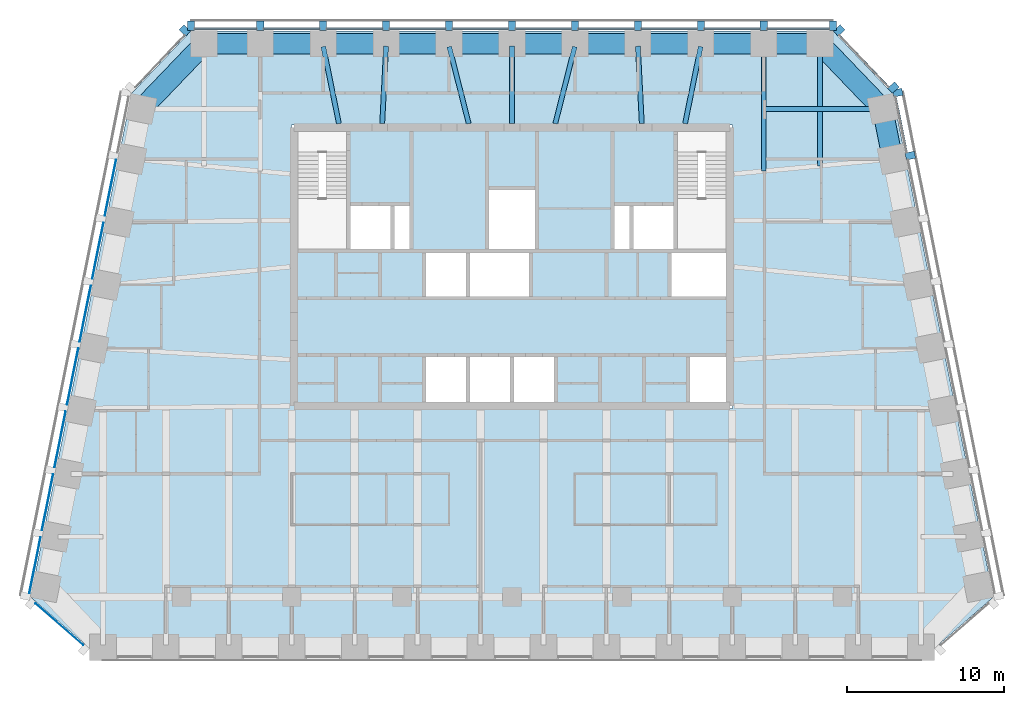
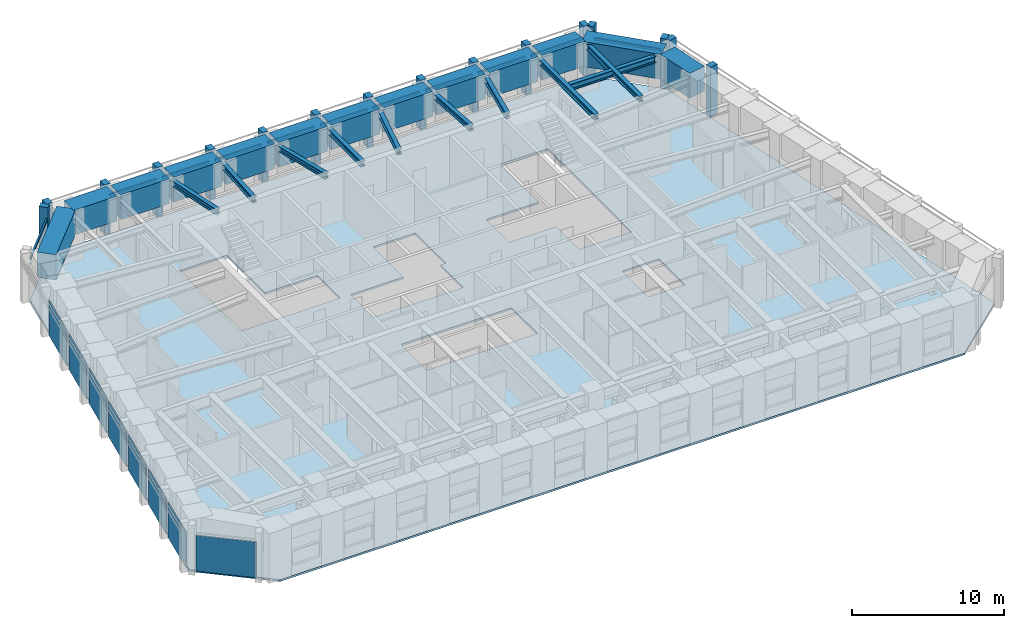
# One storey, part 3 of 13: 29 members, 23 beams, 8 plates, 1 slab, 6 elements without a shape of their own.
"""IFC4 building model written with IfcOpenShell, lengths in metres."""

from ifc_helpers import new_model, si_unit, direction, frame, origin, origin_2d, place, context, subcontext, project, spatial, polyline, rectangle, i_section, outline, extrude, material, layer, layer_set, material_profile, profile_set, type_object, element, aggregate, save


model = new_model("IFC4")

# Units and contexts
model_context = context("Model", 3, precision=1e-05, world=origin(), true_north=direction((0.0, 1.0)))
body_context = subcontext(model_context, "Body", "Model", "MODEL_VIEW")
ifc_project = project(units=[si_unit("LENGTHUNIT", "METRE"), si_unit("AREAUNIT", "SQUARE_METRE"), si_unit("VOLUMEUNIT", "CUBIC_METRE"), si_unit("PLANEANGLEUNIT", "RADIAN"), si_unit("MASSUNIT", "GRAM", prefix="KILO")], contexts=[model_context])

# Site, building, storey
site_placement = place(None, origin())
site = spatial("IfcSite", under=ifc_project, at=site_placement, CompositionType="ELEMENT")
building_placement = place(site_placement, origin())
building = spatial("IfcBuilding", under=site, at=building_placement, Name="Isbrekke Arena Tower", CompositionType="ELEMENT")
storey_placement = place(building_placement, frame((0.0, 0.0, 280.0)))
storey = spatial("IfcBuildingStorey", under=building, at=storey_placement, Name="L65", CompositionType="ELEMENT", Elevation=280.0)

# Beams
ifc_material_1 = material(Name="Steel S355", Category="steel")
ifc_material_profile_1 = material_profile(ifc_material_1, i_section(OverallWidth=0.305908203125, OverallDepth=0.52392578125, WebThickness=0.02099609375, FlangeThickness=0.0400390625, FilletRadius=0.027099609375, at=origin_2d()), Name="HEM 500")
ifc_profile_set_1 = profile_set([ifc_material_profile_1], Name="Steel S355")
beam_type_1 = type_object("IfcBeamType", Name="B5 HEM 500", PredefinedType="BEAM", material=ifc_profile_set_1)
beam_1_placement = place(storey_placement, frame((23.40283203125, 25.029296875, 3.587890625), z_axis=(-1.0, 0.0, 0.0), x_axis=(0.0, -1.0, 0.0)))
element("IfcBeam", 1, at=beam_1_placement, inside=storey, type_object=beam_type_1, Name="B5 beam E-E09 L65", PredefinedType="BEAM", context=body_context, shape_type="SweptSolid", body=[
    extrude(i_section(OverallWidth=0.305908203125, OverallDepth=0.52392578125, WebThickness=0.02099609375, FlangeThickness=0.0400390625, FilletRadius=0.027099609375, at=origin_2d()), origin(), (0.0, 0.0, 1.0), 7.40283203125),
])
ifc_material_2 = material(Name="Steel S355", Category="steel")
ifc_material_profile_2 = material_profile(ifc_material_2, i_section(OverallWidth=0.306884765625, OverallDepth=0.431884765625, WebThickness=0.02099609375, FlangeThickness=0.0400390625, FilletRadius=0.027099609375, at=origin_2d()), Name="HEM 400")
ifc_profile_set_2 = profile_set([ifc_material_profile_2], Name="Steel S355")
beam_type_2 = type_object("IfcBeamType", Name="B6 HEM 400", PredefinedType="BEAM", material=ifc_profile_set_2)
beam_2_placement = place(storey_placement, frame((19.574951171875, 29.02490234375, 3.634033203125), z_axis=(0.0, -1.0, 0.0), x_axis=(1.0, 0.0, 0.0)))
element("IfcBeam", 2, at=beam_2_placement, inside=storey, type_object=beam_type_2, Name="B6 beam N-N01 L65", PredefinedType="BEAM", context=body_context, shape_type="SweptSolid", body=[
    extrude(i_section(OverallWidth=0.306884765625, OverallDepth=0.431884765625, WebThickness=0.02099609375, FlangeThickness=0.0400390625, FilletRadius=0.027099609375, at=origin_2d()), origin(), (0.0, 0.0, 1.0), 7.608154296875),
])
beam_3_placement = place(storey_placement, frame((16.0, 29.02490234375, 3.634033203125), z_axis=(0.0, -1.0, 0.0), x_axis=(1.0, 0.0, 0.0)))
element("IfcBeam", 3, at=beam_3_placement, inside=storey, type_object=beam_type_2, Name="B6 beam N-N02 L65", PredefinedType="BEAM", context=body_context, shape_type="SweptSolid", body=[
    extrude(i_section(OverallWidth=0.306884765625, OverallDepth=0.431884765625, WebThickness=0.02099609375, FlangeThickness=0.0400390625, FilletRadius=0.027099609375, at=origin_2d()), origin(), (0.0, 0.0, 1.0), 7.945556640625),
])
beam_4_placement = place(storey_placement, frame((11.993896484375, 28.9951171875, 3.634033203125), z_axis=(-0.198982177337, -0.980003108721, 0.0), x_axis=(0.980003108721, -0.198982177337, 0.0)))
element("IfcBeam", 4, at=beam_4_placement, inside=storey, type_object=beam_type_2, Name="B6 beam N-N03 L65", PredefinedType="BEAM", context=body_context, shape_type="SweptSolid", body=[
    extrude(i_section(OverallWidth=0.306884765625, OverallDepth=0.431884765625, WebThickness=0.02099609375, FlangeThickness=0.0400390625, FilletRadius=0.027099609375, at=origin_2d()), origin(), (0.0, 0.0, 1.0), 4.994873046875),
])
beam_5_placement = place(storey_placement, frame((8.00048828125, 29.017333984375, 3.634033203125), z_axis=(0.050677067868, -0.998715091902, 0.0), x_axis=(0.998715091902, 0.050677067868, 0.0)))
element("IfcBeam", 5, at=beam_5_placement, inside=storey, type_object=beam_type_2, Name="B6 beam N-N04 L65", PredefinedType="BEAM", context=body_context, shape_type="SweptSolid", body=[
    extrude(i_section(OverallWidth=0.306884765625, OverallDepth=0.431884765625, WebThickness=0.02099609375, FlangeThickness=0.0400390625, FilletRadius=0.027099609375, at=origin_2d()), origin(), (0.0, 0.0, 1.0), 4.923583984375),
])
beam_6_placement = place(storey_placement, frame((3.99072265625, 28.98828125, 3.634033203125), z_axis=(-0.246019579109, -0.969264858898, 0.0), x_axis=(0.969264858898, -0.246019579109, 0.0)))
element("IfcBeam", 6, at=beam_6_placement, inside=storey, type_object=beam_type_2, Name="B6 beam N-N05 L65", PredefinedType="BEAM", context=body_context, shape_type="SweptSolid", body=[
    extrude(i_section(OverallWidth=0.306884765625, OverallDepth=0.431884765625, WebThickness=0.02099609375, FlangeThickness=0.0400390625, FilletRadius=0.027099609375, at=origin_2d()), origin(), (0.0, 0.0, 1.0), 5.043212890625),
])
beam_7_placement = place(storey_placement, frame((0.0, 29.02490234375, 3.634033203125), z_axis=(0.0, -1.0, 0.0), x_axis=(1.0, 0.0, 0.0)))
element("IfcBeam", 7, at=beam_7_placement, inside=storey, type_object=beam_type_2, Name="B6 beam N-N06 L65", PredefinedType="BEAM", context=body_context, shape_type="SweptSolid", body=[
    extrude(i_section(OverallWidth=0.306884765625, OverallDepth=0.431884765625, WebThickness=0.02099609375, FlangeThickness=0.0400390625, FilletRadius=0.027099609375, at=origin_2d()), origin(), (0.0, 0.0, 1.0), 4.9248046875),
])
beam_8_placement = place(storey_placement, frame((-3.99072265625, 28.98828125, 3.634033203125), z_axis=(0.246019579109, -0.969264858898, 0.0), x_axis=(0.969264858898, 0.246019579109, 0.0)))
element("IfcBeam", 8, at=beam_8_placement, inside=storey, type_object=beam_type_2, Name="B6 beam N-N07 L65", PredefinedType="BEAM", context=body_context, shape_type="SweptSolid", body=[
    extrude(i_section(OverallWidth=0.306884765625, OverallDepth=0.431884765625, WebThickness=0.02099609375, FlangeThickness=0.0400390625, FilletRadius=0.027099609375, at=origin_2d()), origin(), (0.0, 0.0, 1.0), 5.043212890625),
])
beam_9_placement = place(storey_placement, frame((-8.00048828125, 29.017333984375, 3.634033203125), z_axis=(-0.050677067868, -0.998715091902, 0.0), x_axis=(0.998715091902, -0.050677067868, 0.0)))
element("IfcBeam", 9, at=beam_9_placement, inside=storey, type_object=beam_type_2, Name="B6 beam N-N08 L65", PredefinedType="BEAM", context=body_context, shape_type="SweptSolid", body=[
    extrude(i_section(OverallWidth=0.306884765625, OverallDepth=0.431884765625, WebThickness=0.02099609375, FlangeThickness=0.0400390625, FilletRadius=0.027099609375, at=origin_2d()), origin(), (0.0, 0.0, 1.0), 4.923583984375),
])
beam_10_placement = place(storey_placement, frame((-11.993896484375, 28.9951171875, 3.634033203125), z_axis=(0.198982177337, -0.980003108721, 0.0), x_axis=(0.980003108721, 0.198982177337, 0.0)))
element("IfcBeam", 10, at=beam_10_placement, inside=storey, type_object=beam_type_2, Name="B6 beam N-N09 L65", PredefinedType="BEAM", context=body_context, shape_type="SweptSolid", body=[
    extrude(i_section(OverallWidth=0.306884765625, OverallDepth=0.431884765625, WebThickness=0.02099609375, FlangeThickness=0.0400390625, FilletRadius=0.027099609375, at=origin_2d()), origin(), (0.0, 0.0, 1.0), 4.994873046875),
])

# Curtain wall, members
ifc_material_3 = material(Name="Glazed aluminium curtain wall", Category="aluminium")
curtain_wall_type = type_object("IfcCurtainWallType", Name="CWT TOWER CURTAIN WALL TOP ZONE", PredefinedType="USERDEFINED", material=ifc_material_3)
curtain_wall_1_placement = place(storey_placement, origin())
curtain_wall_1 = element("IfcCurtainWall", 11, at=curtain_wall_1_placement, inside=storey, type_object=curtain_wall_type, Name="CWT curtain wall L65-E", ObjectType="TOWER CURTAIN WALL TOP ZONE", PredefinedType="USERDEFINED")
ifc_material_4 = material(Name="Copper-clad aluminium mullion", Category="aluminium")
ifc_material_profile_3 = material_profile(ifc_material_4, rectangle(XDim=0.449951171875, YDim=0.60009765625, at=origin_2d()), Name="PIER 450X600")
ifc_profile_set_3 = profile_set([ifc_material_profile_3], Name="Copper-clad aluminium mullion")
member_type_1 = type_object("IfcMemberType", Name="CWT-M PIER MULLION 450 x 600", PredefinedType="MULLION", material=ifc_profile_set_3)
member_1_placement = place(storey_placement, frame((25.318603515625, 22.063720703125, 0.0), z_axis=(0.0, 0.0, 1.0), x_axis=(-0.196116135138, 0.980580675691, 0.0)))
member_1 = element("IfcMember", 12, at=member_1_placement, type_object=member_type_1, Name="CWT-M mullion 8", PredefinedType="MULLION", context=body_context, shape_type="SweptSolid", body=[
    extrude(rectangle(XDim=0.449951171875, YDim=0.60009765625, at=origin_2d()), origin(), (0.0, 0.0, 1.0), 4.0),
])
member_2_placement = place(storey_placement, frame((24.518798828125, 26.063720703125, 0.0), z_axis=(0.0, 0.0, 1.0), x_axis=(-0.196116135138, 0.980580675691, 0.0)))
member_2 = element("IfcMember", 13, at=member_2_placement, type_object=member_type_1, Name="CWT-M mullion 9", PredefinedType="MULLION", context=body_context, shape_type="SweptSolid", body=[
    extrude(rectangle(XDim=0.449951171875, YDim=0.60009765625, at=origin_2d()), origin(), (0.0, 0.0, 1.0), 4.0),
])

curtain_wall_2_placement = place(storey_placement, origin())
curtain_wall_2 = element("IfcCurtainWall", 14, at=curtain_wall_2_placement, inside=storey, type_object=curtain_wall_type, Name="CWT curtain wall L65-EN", ObjectType="TOWER CURTAIN WALL TOP ZONE", PredefinedType="USERDEFINED")
member_3_placement = place(storey_placement, frame((24.244384765625, 26.388671875, 0.0), z_axis=(0.0, 0.0, 1.0), x_axis=(-0.68874946192, 0.72499943359, 0.0)))
member_3 = element("IfcMember", 15, at=member_3_placement, type_object=member_type_1, Name="CWT-M mullion 1", PredefinedType="MULLION", context=body_context, shape_type="SweptSolid", body=[
    extrude(rectangle(XDim=0.449951171875, YDim=0.60009765625, at=origin_2d()), origin(), (0.0, 0.0, 1.0), 4.0),
])
member_4_placement = place(storey_placement, frame((20.795166015625, 30.019775390625, 0.0), z_axis=(0.0, 0.0, 1.0), x_axis=(-0.68874946192, 0.72499943359, 0.0)))
member_4 = element("IfcMember", 16, at=member_4_placement, type_object=member_type_1, Name="CWT-M mullion 2", PredefinedType="MULLION", context=body_context, shape_type="SweptSolid", body=[
    extrude(rectangle(XDim=0.449951171875, YDim=0.60009765625, at=origin_2d()), origin(), (0.0, 0.0, 1.0), 4.0),
])

curtain_wall_3_placement = place(storey_placement, origin())
curtain_wall_3 = element("IfcCurtainWall", 17, at=curtain_wall_3_placement, inside=storey, type_object=curtain_wall_type, Name="CWT curtain wall L65-N", ObjectType="TOWER CURTAIN WALL TOP ZONE", PredefinedType="USERDEFINED")
member_5_placement = place(storey_placement, frame((20.39990234375, 30.324951171875, 0.0), z_axis=(0.0, 0.0, 1.0), x_axis=(-1.0, 0.0, 0.0)))
member_5 = element("IfcMember", 18, at=member_5_placement, type_object=member_type_1, Name="CWT-M mullion 1", PredefinedType="MULLION", context=body_context, shape_type="SweptSolid", body=[
    extrude(rectangle(XDim=0.449951171875, YDim=0.60009765625, at=origin_2d()), origin(), (0.0, 0.0, 1.0), 4.0),
])
member_6_placement = place(storey_placement, frame((16.0, 30.324951171875, 0.0), z_axis=(0.0, 0.0, 1.0), x_axis=(-1.0, 0.0, 0.0)))
member_6 = element("IfcMember", 19, at=member_6_placement, type_object=member_type_1, Name="CWT-M mullion 2", PredefinedType="MULLION", context=body_context, shape_type="SweptSolid", body=[
    extrude(rectangle(XDim=0.449951171875, YDim=0.60009765625, at=origin_2d()), origin(), (0.0, 0.0, 1.0), 4.0),
])
member_7_placement = place(storey_placement, frame((12.0, 30.324951171875, 0.0), z_axis=(0.0, 0.0, 1.0), x_axis=(-1.0, 0.0, 0.0)))
member_7 = element("IfcMember", 20, at=member_7_placement, type_object=member_type_1, Name="CWT-M mullion 3", PredefinedType="MULLION", context=body_context, shape_type="SweptSolid", body=[
    extrude(rectangle(XDim=0.449951171875, YDim=0.60009765625, at=origin_2d()), origin(), (0.0, 0.0, 1.0), 4.0),
])
member_8_placement = place(storey_placement, frame((8.0, 30.324951171875, 0.0), z_axis=(0.0, 0.0, 1.0), x_axis=(-1.0, 0.0, 0.0)))
member_8 = element("IfcMember", 21, at=member_8_placement, type_object=member_type_1, Name="CWT-M mullion 4", PredefinedType="MULLION", context=body_context, shape_type="SweptSolid", body=[
    extrude(rectangle(XDim=0.449951171875, YDim=0.60009765625, at=origin_2d()), origin(), (0.0, 0.0, 1.0), 4.0),
])
member_9_placement = place(storey_placement, frame((4.0, 30.324951171875, 0.0), z_axis=(0.0, 0.0, 1.0), x_axis=(-1.0, 0.0, 0.0)))
member_9 = element("IfcMember", 22, at=member_9_placement, type_object=member_type_1, Name="CWT-M mullion 5", PredefinedType="MULLION", context=body_context, shape_type="SweptSolid", body=[
    extrude(rectangle(XDim=0.449951171875, YDim=0.60009765625, at=origin_2d()), origin(), (0.0, 0.0, 1.0), 4.0),
])
member_10_placement = place(storey_placement, frame((0.0, 30.324951171875, 0.0), z_axis=(0.0, 0.0, 1.0), x_axis=(-1.0, 0.0, 0.0)))
member_10 = element("IfcMember", 23, at=member_10_placement, type_object=member_type_1, Name="CWT-M mullion 6", PredefinedType="MULLION", context=body_context, shape_type="SweptSolid", body=[
    extrude(rectangle(XDim=0.449951171875, YDim=0.60009765625, at=origin_2d()), origin(), (0.0, 0.0, 1.0), 4.0),
])
member_11_placement = place(storey_placement, frame((-4.0, 30.324951171875, 0.0), z_axis=(0.0, 0.0, 1.0), x_axis=(-1.0, 0.0, 0.0)))
member_11 = element("IfcMember", 24, at=member_11_placement, type_object=member_type_1, Name="CWT-M mullion 7", PredefinedType="MULLION", context=body_context, shape_type="SweptSolid", body=[
    extrude(rectangle(XDim=0.449951171875, YDim=0.60009765625, at=origin_2d()), origin(), (0.0, 0.0, 1.0), 4.0),
])
member_12_placement = place(storey_placement, frame((-8.0, 30.324951171875, 0.0), z_axis=(0.0, 0.0, 1.0), x_axis=(-1.0, 0.0, 0.0)))
member_12 = element("IfcMember", 25, at=member_12_placement, type_object=member_type_1, Name="CWT-M mullion 8", PredefinedType="MULLION", context=body_context, shape_type="SweptSolid", body=[
    extrude(rectangle(XDim=0.449951171875, YDim=0.60009765625, at=origin_2d()), origin(), (0.0, 0.0, 1.0), 4.0),
])
member_13_placement = place(storey_placement, frame((-12.0, 30.324951171875, 0.0), z_axis=(0.0, 0.0, 1.0), x_axis=(-1.0, 0.0, 0.0)))
member_13 = element("IfcMember", 26, at=member_13_placement, type_object=member_type_1, Name="CWT-M mullion 9", PredefinedType="MULLION", context=body_context, shape_type="SweptSolid", body=[
    extrude(rectangle(XDim=0.449951171875, YDim=0.60009765625, at=origin_2d()), origin(), (0.0, 0.0, 1.0), 4.0),
])
member_14_placement = place(storey_placement, frame((-16.0, 30.324951171875, 0.0), z_axis=(0.0, 0.0, 1.0), x_axis=(-1.0, 0.0, 0.0)))
member_14 = element("IfcMember", 27, at=member_14_placement, type_object=member_type_1, Name="CWT-M mullion 10", PredefinedType="MULLION", context=body_context, shape_type="SweptSolid", body=[
    extrude(rectangle(XDim=0.449951171875, YDim=0.60009765625, at=origin_2d()), origin(), (0.0, 0.0, 1.0), 4.0),
])
member_15_placement = place(storey_placement, frame((-20.39990234375, 30.324951171875, 0.0), z_axis=(0.0, 0.0, 1.0), x_axis=(-1.0, 0.0, 0.0)))
member_15 = element("IfcMember", 28, at=member_15_placement, type_object=member_type_1, Name="CWT-M mullion 11", PredefinedType="MULLION", context=body_context, shape_type="SweptSolid", body=[
    extrude(rectangle(XDim=0.449951171875, YDim=0.60009765625, at=origin_2d()), origin(), (0.0, 0.0, 1.0), 4.0),
])

# Curtain wall, member
curtain_wall_4_placement = place(storey_placement, origin())
curtain_wall_4 = element("IfcCurtainWall", 29, at=curtain_wall_4_placement, inside=storey, type_object=curtain_wall_type, Name="CWT curtain wall L65-NW", ObjectType="TOWER CURTAIN WALL TOP ZONE", PredefinedType="USERDEFINED")
member_16_placement = place(storey_placement, frame((-20.795166015625, 30.01953125, 0.0), z_axis=(0.0, 0.0, 1.0), x_axis=(-0.68874946192, -0.72499943359, 0.0)))
member_16 = element("IfcMember", 30, at=member_16_placement, type_object=member_type_1, Name="CWT-M mullion 1", PredefinedType="MULLION", context=body_context, shape_type="SweptSolid", body=[
    extrude(rectangle(XDim=0.449951171875, YDim=0.60009765625, at=origin_2d()), origin(), (0.0, 0.0, 1.0), 4.0),
])

# Member
ifc_material_5 = material(Name="Aluminium transom", Category="aluminium")
ifc_material_profile_4 = material_profile(ifc_material_5, rectangle(XDim=0.1201171875, YDim=0.199951171875, at=origin_2d()), Name="TRANSOM 120X200")
ifc_profile_set_4 = profile_set([ifc_material_profile_4], Name="Aluminium transom")
member_type_2 = type_object("IfcMemberType", Name="CWT-T TRANSOM 120 x 200", PredefinedType="USERDEFINED", material=ifc_profile_set_4)
member_17_placement = place(storey_placement, frame((25.078369140625, 22.2451171875, 3.0), z_axis=(-0.196090262229, 0.980585849918, 0.0), x_axis=(-0.980585849918, -0.196090262229, 0.0)))
member_17 = element("IfcMember", 31, at=member_17_placement, type_object=member_type_2, Name="CWT-T transom 8", ObjectType="TRANSOM", PredefinedType="USERDEFINED", context=body_context, shape_type="SweptSolid", body=[
    extrude(rectangle(XDim=0.1201171875, YDim=0.199951171875, at=origin_2d()), origin(), (0.0, 0.0, 1.0), 3.62939453125),
])

aggregate(curtain_wall_1, [member_1, member_2, member_17])

member_18_placement = place(storey_placement, frame((23.944580078125, 26.4140625, 3.0), z_axis=(-0.688771983213, 0.724978037696, 0.0), x_axis=(-0.724978037696, -0.688771983213, 0.0)))
member_18 = element("IfcMember", 32, at=member_18_placement, type_object=member_type_2, Name="CWT-T transom 1", ObjectType="TRANSOM", PredefinedType="USERDEFINED", context=body_context, shape_type="SweptSolid", body=[
    extrude(rectangle(XDim=0.1201171875, YDim=0.199951171875, at=origin_2d()), origin(), (0.0, 0.0, 1.0), 4.558349609375),
])

aggregate(curtain_wall_2, [member_3, member_4, member_18])

member_19_placement = place(storey_placement, frame((20.175048828125, 30.125, 3.0), z_axis=(-1.0, 0.0, 0.0), x_axis=(0.0, -1.0, 0.0)))
member_19 = element("IfcMember", 33, at=member_19_placement, type_object=member_type_2, Name="CWT-T transom 1", ObjectType="TRANSOM", PredefinedType="USERDEFINED", context=body_context, shape_type="SweptSolid", body=[
    extrude(rectangle(XDim=0.1201171875, YDim=0.199951171875, at=origin_2d()), origin(), (0.0, 0.0, 1.0), 3.949951171875),
])

member_20_placement = place(storey_placement, frame((15.77490234375, 30.125, 3.0), z_axis=(-1.0, 0.0, 0.0), x_axis=(0.0, -1.0, 0.0)))
member_20 = element("IfcMember", 34, at=member_20_placement, type_object=member_type_2, Name="CWT-T transom 2", ObjectType="TRANSOM", PredefinedType="USERDEFINED", context=body_context, shape_type="SweptSolid", body=[
    extrude(rectangle(XDim=0.1201171875, YDim=0.199951171875, at=origin_2d()), origin(), (0.0, 0.0, 1.0), 3.5498046875),
])

member_21_placement = place(storey_placement, frame((11.77490234375, 30.125, 3.0), z_axis=(-1.0, 0.0, 0.0), x_axis=(0.0, -1.0, 0.0)))
member_21 = element("IfcMember", 35, at=member_21_placement, type_object=member_type_2, Name="CWT-T transom 3", ObjectType="TRANSOM", PredefinedType="USERDEFINED", context=body_context, shape_type="SweptSolid", body=[
    extrude(rectangle(XDim=0.1201171875, YDim=0.199951171875, at=origin_2d()), origin(), (0.0, 0.0, 1.0), 3.5498046875),
])

member_22_placement = place(storey_placement, frame((7.77490234375, 30.125, 3.0), z_axis=(-1.0, 0.0, 0.0), x_axis=(0.0, -1.0, 0.0)))
member_22 = element("IfcMember", 36, at=member_22_placement, type_object=member_type_2, Name="CWT-T transom 4", ObjectType="TRANSOM", PredefinedType="USERDEFINED", context=body_context, shape_type="SweptSolid", body=[
    extrude(rectangle(XDim=0.1201171875, YDim=0.199951171875, at=origin_2d()), origin(), (0.0, 0.0, 1.0), 3.5498046875),
])

member_23_placement = place(storey_placement, frame((3.77490234375, 30.125, 3.0), z_axis=(-1.0, 0.0, 0.0), x_axis=(0.0, -1.0, 0.0)))
member_23 = element("IfcMember", 37, at=member_23_placement, type_object=member_type_2, Name="CWT-T transom 5", ObjectType="TRANSOM", PredefinedType="USERDEFINED", context=body_context, shape_type="SweptSolid", body=[
    extrude(rectangle(XDim=0.1201171875, YDim=0.199951171875, at=origin_2d()), origin(), (0.0, 0.0, 1.0), 3.5498046875),
])

member_24_placement = place(storey_placement, frame((-0.22509765625, 30.125, 3.0), z_axis=(-1.0, 0.0, 0.0), x_axis=(0.0, -1.0, 0.0)))
member_24 = element("IfcMember", 38, at=member_24_placement, type_object=member_type_2, Name="CWT-T transom 6", ObjectType="TRANSOM", PredefinedType="USERDEFINED", context=body_context, shape_type="SweptSolid", body=[
    extrude(rectangle(XDim=0.1201171875, YDim=0.199951171875, at=origin_2d()), origin(), (0.0, 0.0, 1.0), 3.5498046875),
])

member_25_placement = place(storey_placement, frame((-4.22509765625, 30.125, 3.0), z_axis=(-1.0, 0.0, 0.0), x_axis=(0.0, -1.0, 0.0)))
member_25 = element("IfcMember", 39, at=member_25_placement, type_object=member_type_2, Name="CWT-T transom 7", ObjectType="TRANSOM", PredefinedType="USERDEFINED", context=body_context, shape_type="SweptSolid", body=[
    extrude(rectangle(XDim=0.1201171875, YDim=0.199951171875, at=origin_2d()), origin(), (0.0, 0.0, 1.0), 3.5498046875),
])

member_26_placement = place(storey_placement, frame((-8.22509765625, 30.125, 3.0), z_axis=(-1.0, 0.0, 0.0), x_axis=(0.0, -1.0, 0.0)))
member_26 = element("IfcMember", 40, at=member_26_placement, type_object=member_type_2, Name="CWT-T transom 8", ObjectType="TRANSOM", PredefinedType="USERDEFINED", context=body_context, shape_type="SweptSolid", body=[
    extrude(rectangle(XDim=0.1201171875, YDim=0.199951171875, at=origin_2d()), origin(), (0.0, 0.0, 1.0), 3.5498046875),
])

member_27_placement = place(storey_placement, frame((-12.22509765625, 30.125, 3.0), z_axis=(-1.0, 0.0, 0.0), x_axis=(0.0, -1.0, 0.0)))
member_27 = element("IfcMember", 41, at=member_27_placement, type_object=member_type_2, Name="CWT-T transom 9", ObjectType="TRANSOM", PredefinedType="USERDEFINED", context=body_context, shape_type="SweptSolid", body=[
    extrude(rectangle(XDim=0.1201171875, YDim=0.199951171875, at=origin_2d()), origin(), (0.0, 0.0, 1.0), 3.5498046875),
])

member_28_placement = place(storey_placement, frame((-16.22509765625, 30.125, 3.0), z_axis=(-1.0, 0.0, 0.0), x_axis=(0.0, -1.0, 0.0)))
member_28 = element("IfcMember", 42, at=member_28_placement, type_object=member_type_2, Name="CWT-T transom 10", ObjectType="TRANSOM", PredefinedType="USERDEFINED", context=body_context, shape_type="SweptSolid", body=[
    extrude(rectangle(XDim=0.1201171875, YDim=0.199951171875, at=origin_2d()), origin(), (0.0, 0.0, 1.0), 3.949951171875),
])

aggregate(curtain_wall_3, [member_5, member_6, member_7, member_8, member_9, member_10, member_11, member_12, member_13, member_14, member_15, member_19, member_20, member_21, member_22, member_23, member_24, member_25, member_26, member_27, member_28])

member_29_placement = place(storey_placement, frame((-20.80517578125, 29.71875, 3.0), z_axis=(-0.688739606035, -0.725008796552, 0.0), x_axis=(0.725008796552, -0.688739606035, 0.0)))
member_29 = element("IfcMember", 43, at=member_29_placement, type_object=member_type_2, Name="CWT-T transom 1", ObjectType="TRANSOM", PredefinedType="USERDEFINED", context=body_context, shape_type="SweptSolid", body=[
    extrude(rectangle(XDim=0.1201171875, YDim=0.199951171875, at=origin_2d()), origin(), (0.0, 0.0, 1.0), 4.55712890625),
])

aggregate(curtain_wall_4, [member_16, member_29])

# Beams
ifc_material_6 = material(Name="Concrete B55 (C55/67)", Category="concrete")
ifc_material_profile_5 = material_profile(ifc_material_6, rectangle(XDim=1.300048828125, YDim=2.0, at=origin_2d()), Name="RC 1300x2000")
ifc_profile_set_5 = profile_set([ifc_material_profile_5], Name="Concrete B55 (C55/67)")
beam_type_3 = type_object("IfcBeamType", Name="SB4 RC 1300 x 2000", PredefinedType="SPANDREL", material=ifc_profile_set_5)
beam_11_placement = place(storey_placement, frame((24.16162109375, 21.9853515625, 3.0), z_axis=(-0.196116135138, 0.980580675691, 0.0), x_axis=(-0.980580675691, -0.196116135138, 0.0)))
element("IfcBeam", 44, at=beam_11_placement, inside=storey, type_object=beam_type_3, Name="SB4 spandrel E08-E09 L65", PredefinedType="SPANDREL", context=body_context, shape_type="SweptSolid", body=[
    extrude(rectangle(XDim=1.300048828125, YDim=2.0, at=origin_2d()), origin(), (0.0, 0.0, 1.0), 2.9541015625),
])
beam_12_placement = place(storey_placement, frame((23.448974609375, 25.137451171875, 3.0), z_axis=(-0.692339547635, 0.721571861134, 0.0), x_axis=(-0.721571861134, -0.692339547635, 0.0)))
element("IfcBeam", 45, at=beam_12_placement, inside=storey, type_object=beam_type_3, Name="SB4 spandrel E09-N01 L65", PredefinedType="SPANDREL", context=body_context, shape_type="SweptSolid", body=[
    extrude(rectangle(XDim=1.300048828125, YDim=2.0, at=origin_2d()), origin(), (0.0, 0.0, 1.0), 5.4453125),
])
beam_13_placement = place(storey_placement, frame((19.425048828125, 29.175048828125, 3.0), z_axis=(-1.0, 0.0, 0.0), x_axis=(0.0, -1.0, 0.0)))
element("IfcBeam", 46, at=beam_13_placement, inside=storey, type_object=beam_type_3, Name="SB4 spandrel N01-N02 L65", PredefinedType="SPANDREL", context=body_context, shape_type="SweptSolid", body=[
    extrude(rectangle(XDim=1.300048828125, YDim=2.0, at=origin_2d()), origin(), (0.0, 0.0, 1.0), 3.275146484375),
])
for number, where, z_axis, x_axis, name in (
    (47, (15.85009765625, 29.175048828125, 3.0), (-1.0, 0.0, 0.0), (0.0, -1.0, 0.0), "SB4 spandrel N02-N03 L65"),
    (48, (11.85009765625, 29.175048828125, 3.0), (-1.0, 0.0, 0.0), (0.0, -1.0, 0.0), "SB4 spandrel N03-N04 L65"),
    (49, (7.85009765625, 29.175048828125, 3.0), (-1.0, 0.0, 0.0), (0.0, -1.0, 0.0), "SB4 spandrel N04-N05 L65"),
    (50, (3.85009765625, 29.175048828125, 3.0), (-1.0, 0.0, 0.0), (0.0, -1.0, 0.0), "SB4 spandrel N05-N06 L65"),
    (51, (-0.14990234375, 29.175048828125, 3.0), (-1.0, 0.0, 0.0), (0.0, -1.0, 0.0), "SB4 spandrel N06-N07 L65"),
    (52, (-4.14990234375, 29.175048828125, 3.0), (-1.0, 0.0, 0.0), (0.0, -1.0, 0.0), "SB4 spandrel N07-N08 L65"),
    (53, (-8.14990234375, 29.175048828125, 3.0), (-1.0, 0.0, 0.0), (0.0, -1.0, 0.0), "SB4 spandrel N08-N09 L65"),
    (54, (-12.14990234375, 29.175048828125, 3.0), (-1.0, 0.0, 0.0), (0.0, -1.0, 0.0), "SB4 spandrel N09-N10 L65"),
):
    element("IfcBeam", number, at=place(storey_placement, frame(where, z_axis=z_axis, x_axis=x_axis)), inside=storey, type_object=beam_type_3, Name=name, PredefinedType="SPANDREL", context=body_context, shape_type="SweptSolid", body=[
        extrude(rectangle(XDim=1.300048828125, YDim=2.0, at=origin_2d()), origin(), (0.0, 0.0, 1.0), 3.7001953125),
    ])
beam_14_placement = place(storey_placement, frame((-16.14990234375, 29.175048828125, 3.0), z_axis=(-1.0, 0.0, 0.0), x_axis=(0.0, -1.0, 0.0)))
element("IfcBeam", 55, at=beam_14_placement, inside=storey, type_object=beam_type_3, Name="SB4 spandrel N10-N11 L65", PredefinedType="SPANDREL", context=body_context, shape_type="SweptSolid", body=[
    extrude(rectangle(XDim=1.300048828125, YDim=2.0, at=origin_2d()), origin(), (0.0, 0.0, 1.0), 3.275146484375),
])
beam_15_placement = place(storey_placement, frame((-19.678955078125, 29.066650390625, 3.0), z_axis=(-0.692339547635, -0.721571861134, 0.0), x_axis=(0.721571861134, -0.692339547635, 0.0)))
element("IfcBeam", 56, at=beam_15_placement, inside=storey, type_object=beam_type_3, Name="SB4 spandrel N11-W01 L65", PredefinedType="SPANDREL", context=body_context, shape_type="SweptSolid", body=[
    extrude(rectangle(XDim=1.300048828125, YDim=2.0, at=origin_2d()), origin(), (0.0, 0.0, 1.0), 5.4453125),
])

# Curtain wall, plates
curtain_wall_5_placement = place(storey_placement, origin())
curtain_wall_5 = element("IfcCurtainWall", 57, at=curtain_wall_5_placement, inside=storey, type_object=curtain_wall_type, Name="CWT curtain wall L65-W", ObjectType="TOWER CURTAIN WALL TOP ZONE", PredefinedType="USERDEFINED")
ifc_material_7 = material(Name="Triple-glazed clear glass unit", Category="glass")
ifc_layer_1 = layer(ifc_material_7, 0.031982421875)
ifc_layer_set_1 = layer_set([ifc_layer_1], Name="CWT-P VISION PANEL")
plate_type = type_object("IfcPlateType", Name="CWT-P VISION PANEL", PredefinedType="CURTAIN_PANEL", material=ifc_layer_set_1)
plate_1_placement = place(storey_placement, frame((-25.5224609375, 20.0244140625, 0.02001953125), z_axis=(0.0, 0.0, 1.0), x_axis=(-0.196116135138, -0.980580675691, 0.0)))
plate_1 = element("IfcPlate", 58, at=plate_1_placement, type_object=plate_type, Name="CWT-P panel 2", PredefinedType="CURTAIN_PANEL", context=body_context, shape_type="SweptSolid", body=[
    extrude(rectangle(XDim=3.629150390625, YDim=0.031982421875, at=origin_2d()), origin(), (0.0, 0.0, 1.0), 2.8798828125),
])
plate_2_placement = place(storey_placement, frame((-26.322509765625, 16.0244140625, 0.02001953125), z_axis=(0.0, 0.0, 1.0), x_axis=(-0.196116135138, -0.980580675691, 0.0)))
plate_2 = element("IfcPlate", 59, at=plate_2_placement, type_object=plate_type, Name="CWT-P panel 3", PredefinedType="CURTAIN_PANEL", context=body_context, shape_type="SweptSolid", body=[
    extrude(rectangle(XDim=3.629150390625, YDim=0.031982421875, at=origin_2d()), origin(), (0.0, 0.0, 1.0), 2.8798828125),
])
plate_3_placement = place(storey_placement, frame((-27.12255859375, 12.0244140625, 0.02001953125), z_axis=(0.0, 0.0, 1.0), x_axis=(-0.196116135138, -0.980580675691, 0.0)))
plate_3 = element("IfcPlate", 60, at=plate_3_placement, type_object=plate_type, Name="CWT-P panel 4", PredefinedType="CURTAIN_PANEL", context=body_context, shape_type="SweptSolid", body=[
    extrude(rectangle(XDim=3.629150390625, YDim=0.031982421875, at=origin_2d()), origin(), (0.0, 0.0, 1.0), 2.8798828125),
])
plate_4_placement = place(storey_placement, frame((-27.922607421875, 8.0244140625, 0.02001953125), z_axis=(0.0, 0.0, 1.0), x_axis=(-0.196116135138, -0.980580675691, 0.0)))
plate_4 = element("IfcPlate", 61, at=plate_4_placement, type_object=plate_type, Name="CWT-P panel 5", PredefinedType="CURTAIN_PANEL", context=body_context, shape_type="SweptSolid", body=[
    extrude(rectangle(XDim=3.629150390625, YDim=0.031982421875, at=origin_2d()), origin(), (0.0, 0.0, 1.0), 2.8798828125),
])
plate_5_placement = place(storey_placement, frame((-28.72265625, 4.0244140625, 0.02001953125), z_axis=(0.0, 0.0, 1.0), x_axis=(-0.196116135138, -0.980580675691, 0.0)))
plate_5 = element("IfcPlate", 62, at=plate_5_placement, type_object=plate_type, Name="CWT-P panel 6", PredefinedType="CURTAIN_PANEL", context=body_context, shape_type="SweptSolid", body=[
    extrude(rectangle(XDim=3.629150390625, YDim=0.031982421875, at=origin_2d()), origin(), (0.0, 0.0, 1.0), 2.8798828125),
])
plate_6_placement = place(storey_placement, frame((-29.5224609375, 0.0244140625, 0.02001953125), z_axis=(0.0, 0.0, 1.0), x_axis=(-0.196116135138, -0.980580675691, 0.0)))
plate_6 = element("IfcPlate", 63, at=plate_6_placement, type_object=plate_type, Name="CWT-P panel 7", PredefinedType="CURTAIN_PANEL", context=body_context, shape_type="SweptSolid", body=[
    extrude(rectangle(XDim=3.629150390625, YDim=0.031982421875, at=origin_2d()), origin(), (0.0, 0.0, 1.0), 2.8798828125),
])
plate_7_placement = place(storey_placement, frame((-30.322509765625, -3.9755859375, 0.02001953125), z_axis=(0.0, 0.0, 1.0), x_axis=(-0.196116135138, -0.980580675691, 0.0)))
plate_7 = element("IfcPlate", 64, at=plate_7_placement, type_object=plate_type, Name="CWT-P panel 8", PredefinedType="CURTAIN_PANEL", context=body_context, shape_type="SweptSolid", body=[
    extrude(rectangle(XDim=3.629150390625, YDim=0.031982421875, at=origin_2d()), origin(), (0.0, 0.0, 1.0), 2.8798828125),
])
aggregate(curtain_wall_5, [plate_1, plate_2, plate_3, plate_4, plate_5, plate_6, plate_7])

# Curtain wall, plate
curtain_wall_6_placement = place(storey_placement, origin())
curtain_wall_6 = element("IfcCurtainWall", 65, at=curtain_wall_6_placement, inside=storey, type_object=curtain_wall_type, Name="CWT curtain wall L65-WS", ObjectType="TOWER CURTAIN WALL TOP ZONE", PredefinedType="USERDEFINED")
plate_8_placement = place(storey_placement, frame((-28.772216796875, -7.721923828125, 0.02001953125), z_axis=(0.0, 0.0, 1.0), x_axis=(0.754605522159, -0.65617871493, 0.0)))
plate_8 = element("IfcPlate", 66, at=plate_8_placement, type_object=plate_type, Name="CWT-P panel 1", PredefinedType="CURTAIN_PANEL", context=body_context, shape_type="SweptSolid", body=[
    extrude(rectangle(XDim=4.0263671875, YDim=0.031982421875, at=origin_2d()), origin(), (0.0, 0.0, 1.0), 2.8798828125),
])
aggregate(curtain_wall_6, [plate_8])

# Slab
ifc_material_8 = material(Name="Concrete B35 (C35/45)", Category="concrete")
ifc_layer_2 = layer(ifc_material_8, 0.14990234375)
ifc_layer_set_2 = layer_set([ifc_layer_2], Name="FS1 COMPOSITE FLOOR 150")
slab_type = type_object("IfcSlabType", Name="FS1 COMPOSITE FLOOR 150", PredefinedType="FLOOR", material=ifc_layer_set_2)
slab_placement = place(storey_placement, frame((0.0, 0.0, -0.14990234375)))
element("IfcSlab", 67, at=slab_placement, inside=storey, type_object=slab_type, Name="FS1 floor slab L65", PredefinedType="FLOOR", context=body_context, shape_type="SweptSolid", body=[
    extrude(outline(polyline([(-26.0, -10.0), (26.0, -10.0), (30.60009765625, -6.0), (24.199951171875, 26.0), (20.39990234375, 30.0), (-20.39990234375, 30.0), (-24.199951171875, 26.0), (-30.60009765625, -6.0), (-26.0, -10.0)]), holes=[polyline([(2.800048828125, 9.39990234375), (2.800048828125, 6.0), (-5.60009765625, 6.0), (-5.60009765625, 9.39990234375), (2.800048828125, 9.39990234375)]), polyline([(11.199951171875, 6.0), (11.199951171875, 9.39990234375), (14.0, 9.39990234375), (14.0, 6.0), (11.199951171875, 6.0)]), polyline([(-5.60009765625, 13.0), (-5.60009765625, 16.0), (-1.60009765625, 16.0), (-1.60009765625, 20.0), (1.60009765625, 20.0), (1.60009765625, 16.0), (1.199951171875, 16.0), (1.199951171875, 13.0), (-5.60009765625, 13.0)]), polyline([(14.0, 13.0), (10.0, 13.0), (10.0, 16.0), (6.39990234375, 16.0), (6.39990234375, 19.0), (10.39990234375, 19.0), (10.39990234375, 24.0), (14.0, 24.0), (14.0, 13.0)]), polyline([(-6.39990234375, 19.0), (-6.39990234375, 16.0), (-14.0, 16.0), (-14.0, 24.0), (-10.39990234375, 24.0), (-10.39990234375, 19.0), (-6.39990234375, 19.0)])]), origin(), (0.0, 0.0, 1.0), 0.14990234375),
])

save(model, "model.ifc")
